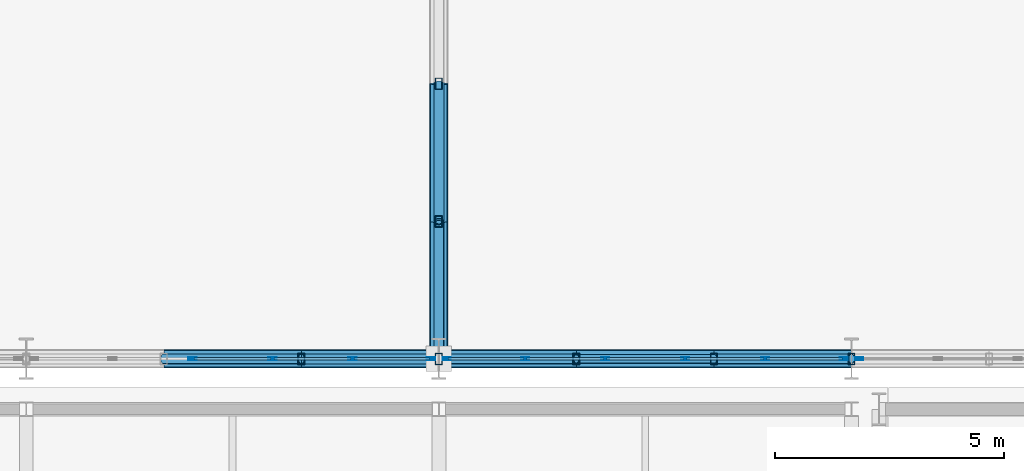
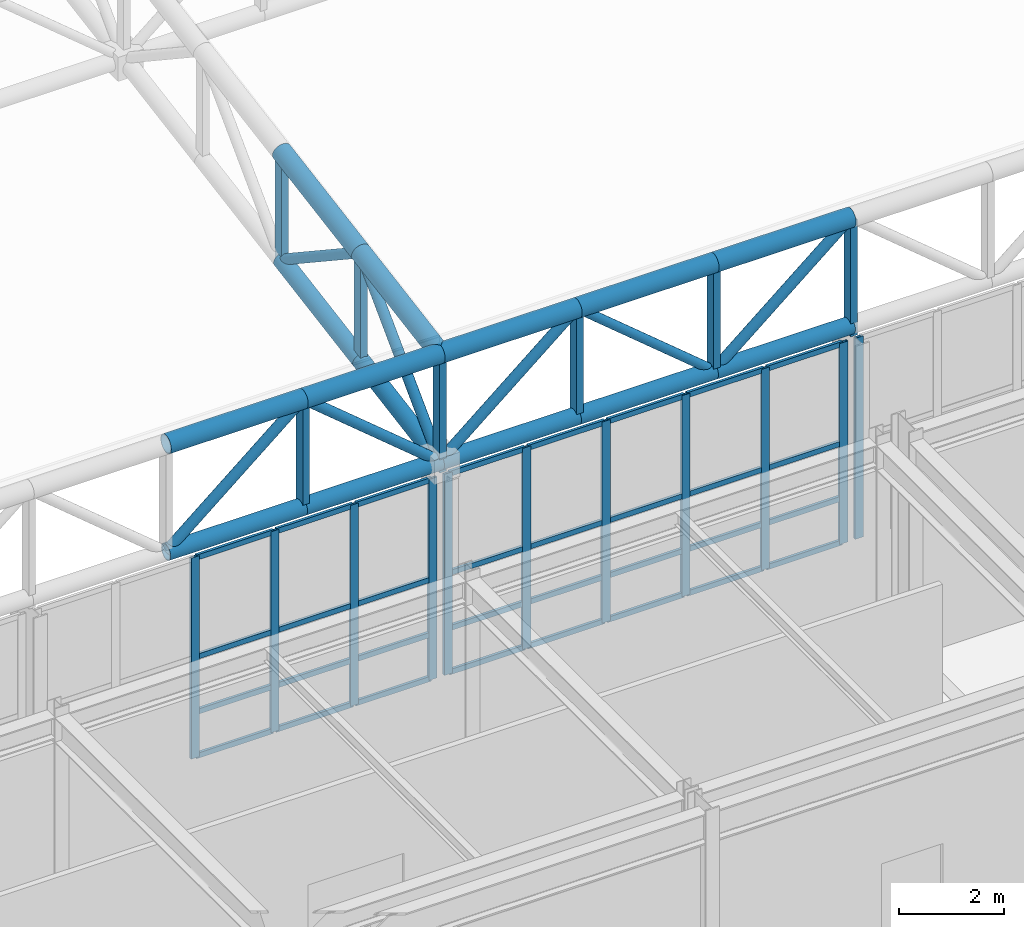
# One storey, part 45 of 239: 71 members, 3 elements without a shape of their own.
"""IFC4 building model written with IfcOpenShell, lengths in metres."""

import ifcopenshell
import ifcopenshell.guid

model = None  # the IFC model being written
_history = None  # IfcOwnerHistory: only IFC2X3 demands one
_inside = {}  # id of a spatial element -> (the spatial element, [elements in it])
_under = {}  # id of a project, library or spatial element -> (it, [spatial elements below it])
_declared = {}  # id of a project -> (the project, [libraries it declares])
_typed = {}  # id of a type object -> (the type object, [elements of that type])
_made_of = {}  # id of a material, layer set ... -> (it, [elements and type objects made of it])


def new_model(schema):
    """Start an empty IFC model of exactly this schema.

    Asked for "IFC4X3", IfcOpenShell would pick the latest addendum, in which some entities
    have other attributes; the version numbers below select the first issue.
    IFC2X3 requires an IfcOwnerHistory on every rooted entity: one is made here for all.
    """
    global model, _history
    if schema == "IFC4X3":
        model = ifcopenshell.file(schema_version=(4, 3, 0, 0))
    else:
        model = ifcopenshell.file(schema=schema)
    _inside.clear()
    _under.clear()
    _declared.clear()
    _typed.clear()
    _made_of.clear()
    _history = None
    if model.schema == "IFC2X3":
        org = make("IfcOrganization", Name="unknown")
        user = make(
            "IfcPersonAndOrganization",
            ThePerson=make("IfcPerson", FamilyName="unknown"),
            TheOrganization=org,
        )
        app = make(
            "IfcApplication",
            ApplicationDeveloper=org,
            Version="unknown",
            ApplicationFullName="unknown",
            ApplicationIdentifier="unknown",
        )
        _history = make(
            "IfcOwnerHistory",
            OwningUser=user,
            OwningApplication=app,
            ChangeAction="ADDED",
            CreationDate=0,
        )
    return model


def make(cls, **values):
    """One entity of the class cls with the attributes given. An attribute that is None is left unset."""
    return model.create_entity(
        cls, **{name: value for name, value in values.items() if value is not None}
    )


def rooted(cls, **values):
    """An entity with a GlobalId (a new one), such as an element, a storey or a relation."""
    return make(cls, GlobalId=ifcopenshell.guid.new(), OwnerHistory=_history, **values)


def si_unit(unit_type, name, prefix=None):
    """IfcSIUnit, for example si_unit("LENGTHUNIT", "METRE", prefix="MILLI")."""
    return make("IfcSIUnit", UnitType=unit_type, Prefix=prefix, Name=name)


def assignment(units):
    """IfcUnitAssignment: the units of a project."""
    return None if units is None else make("IfcUnitAssignment", Units=units)


def point(xyz):
    """IfcCartesianPoint."""
    return None if xyz is None else make("IfcCartesianPoint", Coordinates=xyz)


def direction(xyz):
    """IfcDirection."""
    return None if xyz is None else make("IfcDirection", DirectionRatios=xyz)


def frame(location, z_axis=None, x_axis=None):
    """IfcAxis2Placement3D, a coordinate frame: its origin and axes. An axis left out is left unset."""
    return make(
        "IfcAxis2Placement3D",
        Location=point(location),
        Axis=direction(z_axis),
        RefDirection=direction(x_axis),
    )


def frame_2d(location, x_axis=None):
    """IfcAxis2Placement2D, a coordinate frame in the plane: its origin and x axis."""
    return make(
        "IfcAxis2Placement2D", Location=point(location), RefDirection=direction(x_axis)
    )


def origin():
    """The frame at (0, 0, 0) with its axes left unset."""
    return frame((0.0, 0.0, 0.0))


def origin_2d():
    """The frame at (0, 0) in the plane with its x axis left unset."""
    return frame_2d((0.0, 0.0))


def place(relative_to, where):
    """IfcLocalPlacement: puts the frame where relative to a parent placement (None: the world)."""
    return make(
        "IfcLocalPlacement", PlacementRelTo=relative_to, RelativePlacement=where
    )


def context(
    kind, dimensions, precision=None, world=None, true_north=None, identifier=None
):
    """IfcGeometricRepresentationContext, for example the 3D "Model" context."""
    return make(
        "IfcGeometricRepresentationContext",
        ContextIdentifier=identifier,
        ContextType=kind,
        CoordinateSpaceDimension=dimensions,
        Precision=precision,
        WorldCoordinateSystem=world,
        TrueNorth=true_north,
    )


def subcontext(parent, identifier, kind, view, scale=None):
    """IfcGeometricRepresentationSubContext, for example "Body" below "Model"."""
    return make(
        "IfcGeometricRepresentationSubContext",
        ContextIdentifier=identifier,
        ContextType=kind,
        ParentContext=parent,
        TargetScale=scale,
        TargetView=view,
    )


def project(units=None, contexts=None):
    """IfcProject with its units and contexts."""
    return rooted(
        "IfcProject",
        Name="project",
        RepresentationContexts=contexts,
        UnitsInContext=assignment(units),
    )


def spatial(cls, under=None, at=None, **own):
    """A site, building, storey or space (cls), placed at a placement, below another one or the project."""
    s = rooted(cls, ObjectPlacement=at, **own)
    if under is not None:
        _under.setdefault(under.id(), (under, []))[1].append(s)
    return s


def profile(cls, at=None, kind="AREA", **sizes):
    """A parametric profile (cls). Its sizes go by their IFC names, for example OverallWidth=200.0."""
    return make(cls, ProfileType=kind, Position=at, **sizes)


def hollow_rectangle(**sizes):
    """IfcRectangleHollowProfileDef."""
    return profile("IfcRectangleHollowProfileDef", **sizes)


def hollow_circle(**sizes):
    """IfcCircleHollowProfileDef."""
    return profile("IfcCircleHollowProfileDef", **sizes)


def extrude(swept, where, along, depth):
    """IfcExtrudedAreaSolid: the profile swept, set in the frame where, extruded along a direction by depth."""
    return make(
        "IfcExtrudedAreaSolid",
        SweptArea=swept,
        Position=where,
        ExtrudedDirection=direction(along),
        Depth=depth,
    )


def shape(context_of_items, identifier, shape_type, items):
    """IfcShapeRepresentation: the items that make up one representation, for example the "Body"."""
    return make(
        "IfcShapeRepresentation",
        ContextOfItems=context_of_items,
        RepresentationIdentifier=identifier,
        RepresentationType=shape_type,
        Items=items,
    )


def material(Name=None, Category=None):
    """IfcMaterial."""
    return make("IfcMaterial", Name=Name, Category=Category)


def material_profile(
    of_material, cross_section, Name=None, Category=None, Priority=None
):
    """IfcMaterialProfile: a cross section and its material."""
    return make(
        "IfcMaterialProfile",
        Name=Name,
        Material=of_material,
        Profile=cross_section,
        Priority=Priority,
        Category=Category,
    )


def profile_set(profiles, Name=None, composite=None):
    """IfcMaterialProfileSet."""
    return make(
        "IfcMaterialProfileSet",
        Name=Name,
        MaterialProfiles=profiles,
        CompositeProfile=composite,
    )


def made_of(thing, what):
    """Note that an element or type object is made of a material, layer set ...; save() writes the relation."""
    if what is not None:
        _made_of.setdefault(what.id(), (what, []))[1].append(thing)
    return thing


def type_object(cls, material=None, **own):
    """A type object (cls), such as IfcWallType, which elements share."""
    return made_of(rooted(cls, **own), material)


def element(
    cls,
    number,
    at=None,
    inside=None,
    cuts=None,
    type_object=None,
    material=None,
    context=None,
    identifier="Body",
    shape_type=None,
    held_by="IfcProductDefinitionShape",
    body=None,
    shapes=None,
    **own,
):
    """One element of the class cls, such as IfcWall. Its Tag is "e" and its number.

    at: its placement. inside: the storey or other place that contains it. cuts: it is an
    opening in that element (IfcRelVoidsElement). A single representation is given by context,
    identifier, shape_type and body (its items); several are given by shapes. held_by: the class
    of the entity that holds the representations. save() writes the other relations.
    """
    e = rooted(cls, Tag="e%d" % number, ObjectPlacement=at, **own)
    if body is not None:
        shapes = [shape(context, identifier, shape_type, body)]
    if shapes is not None:
        e.Representation = make(held_by, Representations=shapes)
    if inside is not None:
        _inside.setdefault(inside.id(), (inside, []))[1].append(e)
    if cuts is not None:
        rooted(
            "IfcRelVoidsElement", RelatingBuildingElement=cuts, RelatedOpeningElement=e
        )
    if type_object is not None:
        _typed.setdefault(type_object.id(), (type_object, []))[1].append(e)
    return made_of(e, material)


def aggregate(whole, parts):
    """IfcRelAggregates: a whole, such as a stair, and the parts it consists of."""
    return rooted("IfcRelAggregates", RelatingObject=whole, RelatedObjects=parts)


def save(model, path):
    """Write the relations noted so far, then the file.

    IfcRelAggregates (storeys below a building ...), IfcRelContainedInSpatialStructure (elements
    in a storey), IfcRelDefinesByType, IfcRelAssociatesMaterial and IfcRelDeclares: one each for
    every whole, place, type object, material and project.
    """
    for whole, parts in _under.values():
        aggregate(whole, parts)
    for where, things in _inside.values():
        rooted(
            "IfcRelContainedInSpatialStructure",
            RelatedElements=things,
            RelatingStructure=where,
        )
    for kind, things in _typed.values():
        rooted("IfcRelDefinesByType", RelatedObjects=things, RelatingType=kind)
    for what, things in _made_of.values():
        rooted("IfcRelAssociatesMaterial", RelatedObjects=things, RelatingMaterial=what)
    for by, libraries in _declared.values():
        rooted("IfcRelDeclares", RelatingContext=by, RelatedDefinitions=libraries)
    model.write(path)


model = new_model("IFC4")

# Units and contexts
model_context = context("Model", 3, precision=1e-05, world=origin(), true_north=direction((0.0, 1.0)))
body_context = subcontext(model_context, "Body", "Model", "MODEL_VIEW")
ifc_project = project(units=[si_unit("LENGTHUNIT", "METRE"), si_unit("AREAUNIT", "SQUARE_METRE"), si_unit("VOLUMEUNIT", "CUBIC_METRE"), si_unit("PLANEANGLEUNIT", "RADIAN"), si_unit("MASSUNIT", "GRAM", prefix="KILO")], contexts=[model_context])

# Site, building, storey
site_placement = place(None, origin())
site = spatial("IfcSite", under=ifc_project, at=site_placement, CompositionType="ELEMENT")
building_placement = place(site_placement, origin())
building = spatial("IfcBuilding", under=site, at=building_placement, Name="Kaldris Quays Convention Centre", CompositionType="ELEMENT")
storey_placement = place(building_placement, frame((0.0, 0.0, 11.39990234375)))
storey = spatial("IfcBuildingStorey", under=building, at=storey_placement, Name="L02", CompositionType="ELEMENT", Elevation=11.39990234375)

# Curtain wall, members
ifc_material_1 = material(Name="Anodized aluminium AW-6060 and triple glazing", Category="aluminium")
curtain_wall_type = type_object("IfcCurtainWallType", Name="UNITISED CURTAIN WALL CW03", PredefinedType="NOTDEFINED", material=ifc_material_1)
curtain_wall_1_placement = place(storey_placement, origin())
curtain_wall_1 = element("IfcCurtainWall", 1, at=curtain_wall_1_placement, inside=storey, type_object=curtain_wall_type, Name="L02 Unitised Curtain Wall CW03 237", PredefinedType="NOTDEFINED")
ifc_material_2 = material(Name="Anodized aluminium AW-6060", Category="aluminium")
ifc_material_profile_1 = material_profile(ifc_material_2, hollow_rectangle(XDim=0.06005859375, YDim=0.179931640625, WallThickness=0.0048828125, at=origin_2d()), Name="RHS 180x60x5")
ifc_profile_set_1 = profile_set([ifc_material_profile_1], Name="Anodized aluminium AW-6060")
member_type_1 = type_object("IfcMemberType", Name="CURTAIN MULLION CWM2", PredefinedType="MULLION", material=ifc_profile_set_1)
member_1_placement = place(storey_placement, frame((68.6279296875, 56.0, 2.195068359375), z_axis=(0.0, 0.0, 1.0), x_axis=(0.0, 1.0, 0.0)))
member_1 = element("IfcMember", 2, at=member_1_placement, type_object=member_type_1, Name="CW03 mullion 3", PredefinedType="MULLION", context=body_context, shape_type="SweptSolid", body=[
    extrude(hollow_rectangle(XDim=0.06005859375, YDim=0.179931640625, WallThickness=0.0048828125, at=origin_2d()), origin(), (0.0, 0.0, 1.0), 4.655029296875),
])
member_2_placement = place(storey_placement, frame((70.3720703125, 56.0, 2.195068359375), z_axis=(0.0, 0.0, 1.0), x_axis=(0.0, 1.0, 0.0)))
member_2 = element("IfcMember", 3, at=member_2_placement, type_object=member_type_1, Name="CW03 mullion 4", PredefinedType="MULLION", context=body_context, shape_type="SweptSolid", body=[
    extrude(hollow_rectangle(XDim=0.06005859375, YDim=0.179931640625, WallThickness=0.0048828125, at=origin_2d()), origin(), (0.0, 0.0, 1.0), 4.655029296875),
])
member_3_placement = place(storey_placement, frame((72.115966796875, 56.0, 2.195068359375), z_axis=(0.0, 0.0, 1.0), x_axis=(0.0, 1.0, 0.0)))
member_3 = element("IfcMember", 4, at=member_3_placement, type_object=member_type_1, Name="CW03 mullion 5", PredefinedType="MULLION", context=body_context, shape_type="SweptSolid", body=[
    extrude(hollow_rectangle(XDim=0.06005859375, YDim=0.179931640625, WallThickness=0.0048828125, at=origin_2d()), origin(), (0.0, 0.0, 1.0), 4.655029296875),
])
member_4_placement = place(storey_placement, frame((73.830078125, 56.0, 2.195068359375), z_axis=(0.0, 0.0, 1.0), x_axis=(0.0, 1.0, 0.0)))
member_4 = element("IfcMember", 5, at=member_4_placement, type_object=member_type_1, Name="CW03 mullion 6", PredefinedType="MULLION", context=body_context, shape_type="SweptSolid", body=[
    extrude(hollow_rectangle(XDim=0.06005859375, YDim=0.179931640625, WallThickness=0.0048828125, at=origin_2d()), origin(), (0.0, 0.0, 1.0), 4.655029296875),
])

curtain_wall_2_placement = place(storey_placement, origin())
curtain_wall_2 = element("IfcCurtainWall", 6, at=curtain_wall_2_placement, inside=storey, type_object=curtain_wall_type, Name="L02 Unitised Curtain Wall CW03 239", PredefinedType="NOTDEFINED")
member_5_placement = place(storey_placement, frame((74.169921875, 56.0, 2.195068359375), z_axis=(0.0, 0.0, 1.0), x_axis=(0.0, 1.0, 0.0)))
member_5 = element("IfcMember", 7, at=member_5_placement, type_object=member_type_1, Name="CW03 mullion 1", PredefinedType="MULLION", context=body_context, shape_type="SweptSolid", body=[
    extrude(hollow_rectangle(XDim=0.06005859375, YDim=0.179931640625, WallThickness=0.0048828125, at=origin_2d()), origin(), (0.0, 0.0, 1.0), 4.655029296875),
])
member_6_placement = place(storey_placement, frame((75.884033203125, 56.0, 2.195068359375), z_axis=(0.0, 0.0, 1.0), x_axis=(0.0, 1.0, 0.0)))
member_6 = element("IfcMember", 8, at=member_6_placement, type_object=member_type_1, Name="CW03 mullion 2", PredefinedType="MULLION", context=body_context, shape_type="SweptSolid", body=[
    extrude(hollow_rectangle(XDim=0.06005859375, YDim=0.179931640625, WallThickness=0.0048828125, at=origin_2d()), origin(), (0.0, 0.0, 1.0), 4.655029296875),
])
member_7_placement = place(storey_placement, frame((77.6279296875, 56.0, 2.195068359375), z_axis=(0.0, 0.0, 1.0), x_axis=(0.0, 1.0, 0.0)))
member_7 = element("IfcMember", 9, at=member_7_placement, type_object=member_type_1, Name="CW03 mullion 3", PredefinedType="MULLION", context=body_context, shape_type="SweptSolid", body=[
    extrude(hollow_rectangle(XDim=0.06005859375, YDim=0.179931640625, WallThickness=0.0048828125, at=origin_2d()), origin(), (0.0, 0.0, 1.0), 4.655029296875),
])
member_8_placement = place(storey_placement, frame((79.3720703125, 56.0, 2.195068359375), z_axis=(0.0, 0.0, 1.0), x_axis=(0.0, 1.0, 0.0)))
member_8 = element("IfcMember", 10, at=member_8_placement, type_object=member_type_1, Name="CW03 mullion 4", PredefinedType="MULLION", context=body_context, shape_type="SweptSolid", body=[
    extrude(hollow_rectangle(XDim=0.06005859375, YDim=0.179931640625, WallThickness=0.0048828125, at=origin_2d()), origin(), (0.0, 0.0, 1.0), 4.655029296875),
])
member_9_placement = place(storey_placement, frame((81.115966796875, 56.0, 2.195068359375), z_axis=(0.0, 0.0, 1.0), x_axis=(0.0, 1.0, 0.0)))
member_9 = element("IfcMember", 11, at=member_9_placement, type_object=member_type_1, Name="CW03 mullion 5", PredefinedType="MULLION", context=body_context, shape_type="SweptSolid", body=[
    extrude(hollow_rectangle(XDim=0.06005859375, YDim=0.179931640625, WallThickness=0.0048828125, at=origin_2d()), origin(), (0.0, 0.0, 1.0), 4.655029296875),
])
member_10_placement = place(storey_placement, frame((82.830078125, 56.0, 2.195068359375), z_axis=(0.0, 0.0, 1.0), x_axis=(0.0, 1.0, 0.0)))
member_10 = element("IfcMember", 12, at=member_10_placement, type_object=member_type_1, Name="CW03 mullion 6", PredefinedType="MULLION", context=body_context, shape_type="SweptSolid", body=[
    extrude(hollow_rectangle(XDim=0.06005859375, YDim=0.179931640625, WallThickness=0.0048828125, at=origin_2d()), origin(), (0.0, 0.0, 1.0), 4.655029296875),
])

# Curtain wall, member
curtain_wall_3_placement = place(storey_placement, origin())
curtain_wall_3 = element("IfcCurtainWall", 13, at=curtain_wall_3_placement, inside=storey, type_object=curtain_wall_type, Name="L02 Unitised Curtain Wall CW03 241", PredefinedType="NOTDEFINED")
member_11_placement = place(storey_placement, frame((83.169921875, 56.0, 2.195068359375), z_axis=(0.0, 0.0, 1.0), x_axis=(0.0, 1.0, 0.0)))
member_11 = element("IfcMember", 14, at=member_11_placement, type_object=member_type_1, Name="CW03 mullion 1", PredefinedType="MULLION", context=body_context, shape_type="SweptSolid", body=[
    extrude(hollow_rectangle(XDim=0.06005859375, YDim=0.179931640625, WallThickness=0.0048828125, at=origin_2d()), origin(), (0.0, 0.0, 1.0), 4.655029296875),
])
aggregate(curtain_wall_3, [member_11])

# Member
ifc_material_profile_2 = material_profile(ifc_material_2, hollow_rectangle(XDim=0.06005859375, YDim=0.1201171875, WallThickness=0.00390625, at=origin_2d()), Name="RHS 120x60x4")
ifc_profile_set_2 = profile_set([ifc_material_profile_2], Name="Anodized aluminium AW-6060")
member_type_2 = type_object("IfcMemberType", Name="CURTAIN TRANSOM CWT1", PredefinedType="USERDEFINED", material=ifc_profile_set_2)
member_12_placement = place(storey_placement, frame((68.657958984375, 56.0, 2.22509765625), z_axis=(1.0, 0.0, 0.0), x_axis=(0.0, 1.0, 0.0)))
member_12 = element("IfcMember", 15, at=member_12_placement, type_object=member_type_2, Name="CW03 transom 3.1", ObjectType="TRANSOM", PredefinedType="USERDEFINED", context=body_context, shape_type="SweptSolid", body=[
    extrude(hollow_rectangle(XDim=0.06005859375, YDim=0.1201171875, WallThickness=0.00390625, at=origin_2d()), origin(), (0.0, 0.0, 1.0), 1.68408203125),
])

member_13_placement = place(storey_placement, frame((68.657958984375, 56.0, 3.2451171875), z_axis=(1.0, 0.0, 0.0), x_axis=(0.0, 1.0, 0.0)))
member_13 = element("IfcMember", 16, at=member_13_placement, type_object=member_type_2, Name="CW03 transom 3.2", ObjectType="TRANSOM", PredefinedType="USERDEFINED", context=body_context, shape_type="SweptSolid", body=[
    extrude(hollow_rectangle(XDim=0.06005859375, YDim=0.1201171875, WallThickness=0.00390625, at=origin_2d()), origin(), (0.0, 0.0, 1.0), 1.68408203125),
])

member_14_placement = place(storey_placement, frame((68.657958984375, 56.0, 4.522216796875), z_axis=(1.0, 0.0, 0.0), x_axis=(0.0, 1.0, 0.0)))
member_14 = element("IfcMember", 17, at=member_14_placement, type_object=member_type_2, Name="CW03 transom 3.3", ObjectType="TRANSOM", PredefinedType="USERDEFINED", context=body_context, shape_type="SweptSolid", body=[
    extrude(hollow_rectangle(XDim=0.06005859375, YDim=0.1201171875, WallThickness=0.00390625, at=origin_2d()), origin(), (0.0, 0.0, 1.0), 1.68408203125),
])

member_15_placement = place(storey_placement, frame((68.657958984375, 56.0, 6.820068359375), z_axis=(1.0, 0.0, 0.0), x_axis=(0.0, 1.0, 0.0)))
member_15 = element("IfcMember", 18, at=member_15_placement, type_object=member_type_2, Name="CW03 transom 3.4", ObjectType="TRANSOM", PredefinedType="USERDEFINED", context=body_context, shape_type="SweptSolid", body=[
    extrude(hollow_rectangle(XDim=0.06005859375, YDim=0.1201171875, WallThickness=0.00390625, at=origin_2d()), origin(), (0.0, 0.0, 1.0), 1.68408203125),
])

member_16_placement = place(storey_placement, frame((70.402099609375, 56.0, 2.22509765625), z_axis=(1.0, 0.0, 0.0), x_axis=(0.0, 1.0, 0.0)))
member_16 = element("IfcMember", 19, at=member_16_placement, type_object=member_type_2, Name="CW03 transom 4.1", ObjectType="TRANSOM", PredefinedType="USERDEFINED", context=body_context, shape_type="SweptSolid", body=[
    extrude(hollow_rectangle(XDim=0.06005859375, YDim=0.1201171875, WallThickness=0.00390625, at=origin_2d()), origin(), (0.0, 0.0, 1.0), 1.683837890625),
])

member_17_placement = place(storey_placement, frame((70.402099609375, 56.0, 3.2451171875), z_axis=(1.0, 0.0, 0.0), x_axis=(0.0, 1.0, 0.0)))
member_17 = element("IfcMember", 20, at=member_17_placement, type_object=member_type_2, Name="CW03 transom 4.2", ObjectType="TRANSOM", PredefinedType="USERDEFINED", context=body_context, shape_type="SweptSolid", body=[
    extrude(hollow_rectangle(XDim=0.06005859375, YDim=0.1201171875, WallThickness=0.00390625, at=origin_2d()), origin(), (0.0, 0.0, 1.0), 1.683837890625),
])

member_18_placement = place(storey_placement, frame((70.402099609375, 56.0, 4.522216796875), z_axis=(1.0, 0.0, 0.0), x_axis=(0.0, 1.0, 0.0)))
member_18 = element("IfcMember", 21, at=member_18_placement, type_object=member_type_2, Name="CW03 transom 4.3", ObjectType="TRANSOM", PredefinedType="USERDEFINED", context=body_context, shape_type="SweptSolid", body=[
    extrude(hollow_rectangle(XDim=0.06005859375, YDim=0.1201171875, WallThickness=0.00390625, at=origin_2d()), origin(), (0.0, 0.0, 1.0), 1.683837890625),
])

member_19_placement = place(storey_placement, frame((70.402099609375, 56.0, 6.820068359375), z_axis=(1.0, 0.0, 0.0), x_axis=(0.0, 1.0, 0.0)))
member_19 = element("IfcMember", 22, at=member_19_placement, type_object=member_type_2, Name="CW03 transom 4.4", ObjectType="TRANSOM", PredefinedType="USERDEFINED", context=body_context, shape_type="SweptSolid", body=[
    extrude(hollow_rectangle(XDim=0.06005859375, YDim=0.1201171875, WallThickness=0.00390625, at=origin_2d()), origin(), (0.0, 0.0, 1.0), 1.683837890625),
])

member_20_placement = place(storey_placement, frame((72.14599609375, 56.0, 2.22509765625), z_axis=(1.0, 0.0, 0.0), x_axis=(0.0, 1.0, 0.0)))
member_20 = element("IfcMember", 23, at=member_20_placement, type_object=member_type_2, Name="CW03 transom 5.1", ObjectType="TRANSOM", PredefinedType="USERDEFINED", context=body_context, shape_type="SweptSolid", body=[
    extrude(hollow_rectangle(XDim=0.06005859375, YDim=0.1201171875, WallThickness=0.00390625, at=origin_2d()), origin(), (0.0, 0.0, 1.0), 1.654052734375),
])

member_21_placement = place(storey_placement, frame((72.14599609375, 56.0, 3.2451171875), z_axis=(1.0, 0.0, 0.0), x_axis=(0.0, 1.0, 0.0)))
member_21 = element("IfcMember", 24, at=member_21_placement, type_object=member_type_2, Name="CW03 transom 5.2", ObjectType="TRANSOM", PredefinedType="USERDEFINED", context=body_context, shape_type="SweptSolid", body=[
    extrude(hollow_rectangle(XDim=0.06005859375, YDim=0.1201171875, WallThickness=0.00390625, at=origin_2d()), origin(), (0.0, 0.0, 1.0), 1.654052734375),
])

member_22_placement = place(storey_placement, frame((72.14599609375, 56.0, 4.522216796875), z_axis=(1.0, 0.0, 0.0), x_axis=(0.0, 1.0, 0.0)))
member_22 = element("IfcMember", 25, at=member_22_placement, type_object=member_type_2, Name="CW03 transom 5.3", ObjectType="TRANSOM", PredefinedType="USERDEFINED", context=body_context, shape_type="SweptSolid", body=[
    extrude(hollow_rectangle(XDim=0.06005859375, YDim=0.1201171875, WallThickness=0.00390625, at=origin_2d()), origin(), (0.0, 0.0, 1.0), 1.654052734375),
])

member_23_placement = place(storey_placement, frame((72.14599609375, 56.0, 6.820068359375), z_axis=(1.0, 0.0, 0.0), x_axis=(0.0, 1.0, 0.0)))
member_23 = element("IfcMember", 26, at=member_23_placement, type_object=member_type_2, Name="CW03 transom 5.4", ObjectType="TRANSOM", PredefinedType="USERDEFINED", context=body_context, shape_type="SweptSolid", body=[
    extrude(hollow_rectangle(XDim=0.06005859375, YDim=0.1201171875, WallThickness=0.00390625, at=origin_2d()), origin(), (0.0, 0.0, 1.0), 1.654052734375),
])

aggregate(curtain_wall_1, [member_1, member_2, member_3, member_4, member_12, member_13, member_14, member_15, member_16, member_17, member_18, member_19, member_20, member_21, member_22, member_23])

member_24_placement = place(storey_placement, frame((74.199951171875, 56.0, 2.22509765625), z_axis=(1.0, 0.0, 0.0), x_axis=(0.0, 1.0, 0.0)))
member_24 = element("IfcMember", 27, at=member_24_placement, type_object=member_type_2, Name="CW03 transom 1.1", ObjectType="TRANSOM", PredefinedType="USERDEFINED", context=body_context, shape_type="SweptSolid", body=[
    extrude(hollow_rectangle(XDim=0.06005859375, YDim=0.1201171875, WallThickness=0.00390625, at=origin_2d()), origin(), (0.0, 0.0, 1.0), 1.654052734375),
])

member_25_placement = place(storey_placement, frame((74.199951171875, 56.0, 3.2451171875), z_axis=(1.0, 0.0, 0.0), x_axis=(0.0, 1.0, 0.0)))
member_25 = element("IfcMember", 28, at=member_25_placement, type_object=member_type_2, Name="CW03 transom 1.2", ObjectType="TRANSOM", PredefinedType="USERDEFINED", context=body_context, shape_type="SweptSolid", body=[
    extrude(hollow_rectangle(XDim=0.06005859375, YDim=0.1201171875, WallThickness=0.00390625, at=origin_2d()), origin(), (0.0, 0.0, 1.0), 1.654052734375),
])

member_26_placement = place(storey_placement, frame((74.199951171875, 56.0, 4.522216796875), z_axis=(1.0, 0.0, 0.0), x_axis=(0.0, 1.0, 0.0)))
member_26 = element("IfcMember", 29, at=member_26_placement, type_object=member_type_2, Name="CW03 transom 1.3", ObjectType="TRANSOM", PredefinedType="USERDEFINED", context=body_context, shape_type="SweptSolid", body=[
    extrude(hollow_rectangle(XDim=0.06005859375, YDim=0.1201171875, WallThickness=0.00390625, at=origin_2d()), origin(), (0.0, 0.0, 1.0), 1.654052734375),
])

member_27_placement = place(storey_placement, frame((74.199951171875, 56.0, 6.820068359375), z_axis=(1.0, 0.0, 0.0), x_axis=(0.0, 1.0, 0.0)))
member_27 = element("IfcMember", 30, at=member_27_placement, type_object=member_type_2, Name="CW03 transom 1.4", ObjectType="TRANSOM", PredefinedType="USERDEFINED", context=body_context, shape_type="SweptSolid", body=[
    extrude(hollow_rectangle(XDim=0.06005859375, YDim=0.1201171875, WallThickness=0.00390625, at=origin_2d()), origin(), (0.0, 0.0, 1.0), 1.654052734375),
])

member_28_placement = place(storey_placement, frame((75.9140625, 56.0, 2.22509765625), z_axis=(1.0, 0.0, 0.0), x_axis=(0.0, 1.0, 0.0)))
member_28 = element("IfcMember", 31, at=member_28_placement, type_object=member_type_2, Name="CW03 transom 2.1", ObjectType="TRANSOM", PredefinedType="USERDEFINED", context=body_context, shape_type="SweptSolid", body=[
    extrude(hollow_rectangle(XDim=0.06005859375, YDim=0.1201171875, WallThickness=0.00390625, at=origin_2d()), origin(), (0.0, 0.0, 1.0), 1.683837890625),
])

member_29_placement = place(storey_placement, frame((75.9140625, 56.0, 3.2451171875), z_axis=(1.0, 0.0, 0.0), x_axis=(0.0, 1.0, 0.0)))
member_29 = element("IfcMember", 32, at=member_29_placement, type_object=member_type_2, Name="CW03 transom 2.2", ObjectType="TRANSOM", PredefinedType="USERDEFINED", context=body_context, shape_type="SweptSolid", body=[
    extrude(hollow_rectangle(XDim=0.06005859375, YDim=0.1201171875, WallThickness=0.00390625, at=origin_2d()), origin(), (0.0, 0.0, 1.0), 1.683837890625),
])

member_30_placement = place(storey_placement, frame((75.9140625, 56.0, 4.522216796875), z_axis=(1.0, 0.0, 0.0), x_axis=(0.0, 1.0, 0.0)))
member_30 = element("IfcMember", 33, at=member_30_placement, type_object=member_type_2, Name="CW03 transom 2.3", ObjectType="TRANSOM", PredefinedType="USERDEFINED", context=body_context, shape_type="SweptSolid", body=[
    extrude(hollow_rectangle(XDim=0.06005859375, YDim=0.1201171875, WallThickness=0.00390625, at=origin_2d()), origin(), (0.0, 0.0, 1.0), 1.683837890625),
])

member_31_placement = place(storey_placement, frame((75.9140625, 56.0, 6.820068359375), z_axis=(1.0, 0.0, 0.0), x_axis=(0.0, 1.0, 0.0)))
member_31 = element("IfcMember", 34, at=member_31_placement, type_object=member_type_2, Name="CW03 transom 2.4", ObjectType="TRANSOM", PredefinedType="USERDEFINED", context=body_context, shape_type="SweptSolid", body=[
    extrude(hollow_rectangle(XDim=0.06005859375, YDim=0.1201171875, WallThickness=0.00390625, at=origin_2d()), origin(), (0.0, 0.0, 1.0), 1.683837890625),
])

member_32_placement = place(storey_placement, frame((77.657958984375, 56.0, 2.22509765625), z_axis=(1.0, 0.0, 0.0), x_axis=(0.0, 1.0, 0.0)))
member_32 = element("IfcMember", 35, at=member_32_placement, type_object=member_type_2, Name="CW03 transom 3.1", ObjectType="TRANSOM", PredefinedType="USERDEFINED", context=body_context, shape_type="SweptSolid", body=[
    extrude(hollow_rectangle(XDim=0.06005859375, YDim=0.1201171875, WallThickness=0.00390625, at=origin_2d()), origin(), (0.0, 0.0, 1.0), 1.68408203125),
])

member_33_placement = place(storey_placement, frame((77.657958984375, 56.0, 3.2451171875), z_axis=(1.0, 0.0, 0.0), x_axis=(0.0, 1.0, 0.0)))
member_33 = element("IfcMember", 36, at=member_33_placement, type_object=member_type_2, Name="CW03 transom 3.2", ObjectType="TRANSOM", PredefinedType="USERDEFINED", context=body_context, shape_type="SweptSolid", body=[
    extrude(hollow_rectangle(XDim=0.06005859375, YDim=0.1201171875, WallThickness=0.00390625, at=origin_2d()), origin(), (0.0, 0.0, 1.0), 1.68408203125),
])

member_34_placement = place(storey_placement, frame((77.657958984375, 56.0, 4.522216796875), z_axis=(1.0, 0.0, 0.0), x_axis=(0.0, 1.0, 0.0)))
member_34 = element("IfcMember", 37, at=member_34_placement, type_object=member_type_2, Name="CW03 transom 3.3", ObjectType="TRANSOM", PredefinedType="USERDEFINED", context=body_context, shape_type="SweptSolid", body=[
    extrude(hollow_rectangle(XDim=0.06005859375, YDim=0.1201171875, WallThickness=0.00390625, at=origin_2d()), origin(), (0.0, 0.0, 1.0), 1.68408203125),
])

member_35_placement = place(storey_placement, frame((77.657958984375, 56.0, 6.820068359375), z_axis=(1.0, 0.0, 0.0), x_axis=(0.0, 1.0, 0.0)))
member_35 = element("IfcMember", 38, at=member_35_placement, type_object=member_type_2, Name="CW03 transom 3.4", ObjectType="TRANSOM", PredefinedType="USERDEFINED", context=body_context, shape_type="SweptSolid", body=[
    extrude(hollow_rectangle(XDim=0.06005859375, YDim=0.1201171875, WallThickness=0.00390625, at=origin_2d()), origin(), (0.0, 0.0, 1.0), 1.68408203125),
])

member_36_placement = place(storey_placement, frame((79.402099609375, 56.0, 2.22509765625), z_axis=(1.0, 0.0, 0.0), x_axis=(0.0, 1.0, 0.0)))
member_36 = element("IfcMember", 39, at=member_36_placement, type_object=member_type_2, Name="CW03 transom 4.1", ObjectType="TRANSOM", PredefinedType="USERDEFINED", context=body_context, shape_type="SweptSolid", body=[
    extrude(hollow_rectangle(XDim=0.06005859375, YDim=0.1201171875, WallThickness=0.00390625, at=origin_2d()), origin(), (0.0, 0.0, 1.0), 1.683837890625),
])

member_37_placement = place(storey_placement, frame((79.402099609375, 56.0, 3.2451171875), z_axis=(1.0, 0.0, 0.0), x_axis=(0.0, 1.0, 0.0)))
member_37 = element("IfcMember", 40, at=member_37_placement, type_object=member_type_2, Name="CW03 transom 4.2", ObjectType="TRANSOM", PredefinedType="USERDEFINED", context=body_context, shape_type="SweptSolid", body=[
    extrude(hollow_rectangle(XDim=0.06005859375, YDim=0.1201171875, WallThickness=0.00390625, at=origin_2d()), origin(), (0.0, 0.0, 1.0), 1.683837890625),
])

member_38_placement = place(storey_placement, frame((79.402099609375, 56.0, 4.522216796875), z_axis=(1.0, 0.0, 0.0), x_axis=(0.0, 1.0, 0.0)))
member_38 = element("IfcMember", 41, at=member_38_placement, type_object=member_type_2, Name="CW03 transom 4.3", ObjectType="TRANSOM", PredefinedType="USERDEFINED", context=body_context, shape_type="SweptSolid", body=[
    extrude(hollow_rectangle(XDim=0.06005859375, YDim=0.1201171875, WallThickness=0.00390625, at=origin_2d()), origin(), (0.0, 0.0, 1.0), 1.683837890625),
])

member_39_placement = place(storey_placement, frame((79.402099609375, 56.0, 6.820068359375), z_axis=(1.0, 0.0, 0.0), x_axis=(0.0, 1.0, 0.0)))
member_39 = element("IfcMember", 42, at=member_39_placement, type_object=member_type_2, Name="CW03 transom 4.4", ObjectType="TRANSOM", PredefinedType="USERDEFINED", context=body_context, shape_type="SweptSolid", body=[
    extrude(hollow_rectangle(XDim=0.06005859375, YDim=0.1201171875, WallThickness=0.00390625, at=origin_2d()), origin(), (0.0, 0.0, 1.0), 1.683837890625),
])

member_40_placement = place(storey_placement, frame((81.14599609375, 56.0, 2.22509765625), z_axis=(1.0, 0.0, 0.0), x_axis=(0.0, 1.0, 0.0)))
member_40 = element("IfcMember", 43, at=member_40_placement, type_object=member_type_2, Name="CW03 transom 5.1", ObjectType="TRANSOM", PredefinedType="USERDEFINED", context=body_context, shape_type="SweptSolid", body=[
    extrude(hollow_rectangle(XDim=0.06005859375, YDim=0.1201171875, WallThickness=0.00390625, at=origin_2d()), origin(), (0.0, 0.0, 1.0), 1.654052734375),
])

member_41_placement = place(storey_placement, frame((81.14599609375, 56.0, 3.2451171875), z_axis=(1.0, 0.0, 0.0), x_axis=(0.0, 1.0, 0.0)))
member_41 = element("IfcMember", 44, at=member_41_placement, type_object=member_type_2, Name="CW03 transom 5.2", ObjectType="TRANSOM", PredefinedType="USERDEFINED", context=body_context, shape_type="SweptSolid", body=[
    extrude(hollow_rectangle(XDim=0.06005859375, YDim=0.1201171875, WallThickness=0.00390625, at=origin_2d()), origin(), (0.0, 0.0, 1.0), 1.654052734375),
])

member_42_placement = place(storey_placement, frame((81.14599609375, 56.0, 4.522216796875), z_axis=(1.0, 0.0, 0.0), x_axis=(0.0, 1.0, 0.0)))
member_42 = element("IfcMember", 45, at=member_42_placement, type_object=member_type_2, Name="CW03 transom 5.3", ObjectType="TRANSOM", PredefinedType="USERDEFINED", context=body_context, shape_type="SweptSolid", body=[
    extrude(hollow_rectangle(XDim=0.06005859375, YDim=0.1201171875, WallThickness=0.00390625, at=origin_2d()), origin(), (0.0, 0.0, 1.0), 1.654052734375),
])

member_43_placement = place(storey_placement, frame((81.14599609375, 56.0, 6.820068359375), z_axis=(1.0, 0.0, 0.0), x_axis=(0.0, 1.0, 0.0)))
member_43 = element("IfcMember", 46, at=member_43_placement, type_object=member_type_2, Name="CW03 transom 5.4", ObjectType="TRANSOM", PredefinedType="USERDEFINED", context=body_context, shape_type="SweptSolid", body=[
    extrude(hollow_rectangle(XDim=0.06005859375, YDim=0.1201171875, WallThickness=0.00390625, at=origin_2d()), origin(), (0.0, 0.0, 1.0), 1.654052734375),
])

aggregate(curtain_wall_2, [member_5, member_6, member_7, member_8, member_9, member_10, member_24, member_25, member_26, member_27, member_28, member_29, member_30, member_31, member_32, member_33, member_34, member_35, member_36, member_37, member_38, member_39, member_40, member_41, member_42, member_43])

# Members
ifc_material_3 = material(Name="Steel S355J2H", Category="steel")
ifc_material_profile_3 = material_profile(ifc_material_3, hollow_circle(Radius=0.203125, WallThickness=0.01611328125, at=origin_2d()), Name="CHS 406.4x16")
ifc_profile_set_3 = profile_set([ifc_material_profile_3], Name="Steel S355J2H")
member_type_3 = type_object("IfcMemberType", Name="STRUCTURAL MEMBER SC01", PredefinedType="CHORD", material=ifc_profile_set_3)
for number, where, z_axis, x_axis, name in (
    (47, (68.0, 56.0, 9.671875), (1.0, 0.0, 0.0), (0.0, 1.0, 0.0), "SF-V1 Top Chord X 17"),
    (48, (71.0, 56.0, 9.671875), (1.0, 0.0, 0.0), (0.0, 1.0, 0.0), "SF-V1 Top Chord X 18"),
    (49, (74.0, 56.0, 9.671875), (1.0, 0.0, 0.0), (0.0, 1.0, 0.0), "SF-V1 Top Chord X 19"),
    (50, (77.0, 56.0, 9.671875), (1.0, 0.0, 0.0), (0.0, 1.0, 0.0), "SF-V1 Top Chord X 20"),
    (51, (80.0, 56.0, 9.671875), (1.0, 0.0, 0.0), (0.0, 1.0, 0.0), "SF-V1 Top Chord X 21"),
):
    element("IfcMember", number, at=place(storey_placement, frame(where, z_axis=z_axis, x_axis=x_axis)), inside=storey, type_object=member_type_3, Name=name, PredefinedType="CHORD", context=body_context, shape_type="SweptSolid", body=[
        extrude(hollow_circle(Radius=0.203125, WallThickness=0.01611328125, at=origin_2d()), origin(), (0.0, 0.0, 1.0), 3.0),
    ])
for number, where, z_axis, x_axis, name in (
    (52, (74.0, 56.0, 9.671875), (0.0, 0.985615766076, 0.169001661712), (-1.0, 0.0, 0.0), "SF-V1 Top Chord Y 421"),
    (53, (74.0, 59.0, 10.186279296875), (0.0, 0.98562912375, 0.168923741424), (-1.0, 0.0, 0.0), "SF-V1 Top Chord Y 422"),
):
    element("IfcMember", number, at=place(storey_placement, frame(where, z_axis=z_axis, x_axis=x_axis)), inside=storey, type_object=member_type_3, Name=name, PredefinedType="CHORD", context=body_context, shape_type="SweptSolid", body=[
        extrude(hollow_circle(Radius=0.203125, WallThickness=0.01611328125, at=origin_2d()), origin(), (0.0, 0.0, 1.0), 3.043701171875),
    ])
ifc_material_profile_4 = material_profile(ifc_material_3, hollow_circle(Radius=0.177734375, WallThickness=0.01611328125, at=origin_2d()), Name="CHS 355.6x16")
ifc_profile_set_4 = profile_set([ifc_material_profile_4], Name="Steel S355J2H")
member_type_4 = type_object("IfcMemberType", Name="STRUCTURAL MEMBER SC02", PredefinedType="CHORD", material=ifc_profile_set_4)
for number, where, z_axis, x_axis, name in (
    (54, (68.0, 56.0, 7.171875), (1.0, 0.0, 0.0), (0.0, 1.0, 0.0), "SF-V1 Bottom Chord X 17"),
    (55, (71.0, 56.0, 7.171875), (1.0, 0.0, 0.0), (0.0, 1.0, 0.0), "SF-V1 Bottom Chord X 18"),
    (56, (74.0, 56.0, 7.171875), (1.0, 0.0, 0.0), (0.0, 1.0, 0.0), "SF-V1 Bottom Chord X 19"),
    (57, (77.0, 56.0, 7.171875), (1.0, 0.0, 0.0), (0.0, 1.0, 0.0), "SF-V1 Bottom Chord X 20"),
    (58, (80.0, 56.0, 7.171875), (1.0, 0.0, 0.0), (0.0, 1.0, 0.0), "SF-V1 Bottom Chord X 21"),
):
    element("IfcMember", number, at=place(storey_placement, frame(where, z_axis=z_axis, x_axis=x_axis)), inside=storey, type_object=member_type_4, Name=name, PredefinedType="CHORD", context=body_context, shape_type="SweptSolid", body=[
        extrude(hollow_circle(Radius=0.177734375, WallThickness=0.01611328125, at=origin_2d()), origin(), (0.0, 0.0, 1.0), 3.0),
    ])
for number, where, z_axis, x_axis, name in (
    (59, (74.0, 56.0, 7.171875), (0.0, 0.985615766076, 0.169001661712), (-1.0, 0.0, 0.0), "SF-V1 Bottom Chord Y 421"),
    (60, (74.0, 59.0, 7.686279296875), (0.0, 0.98562912375, 0.168923741424), (-1.0, 0.0, 0.0), "SF-V1 Bottom Chord Y 422"),
):
    element("IfcMember", number, at=place(storey_placement, frame(where, z_axis=z_axis, x_axis=x_axis)), inside=storey, type_object=member_type_4, Name=name, PredefinedType="CHORD", context=body_context, shape_type="SweptSolid", body=[
        extrude(hollow_circle(Radius=0.177734375, WallThickness=0.01611328125, at=origin_2d()), origin(), (0.0, 0.0, 1.0), 3.043701171875),
    ])
ifc_material_profile_5 = material_profile(ifc_material_3, hollow_circle(Radius=0.109619140625, WallThickness=0.010009765625, at=origin_2d()), Name="CHS 219.1x10")
ifc_profile_set_5 = profile_set([ifc_material_profile_5], Name="Steel S355J2H")
member_type_5 = type_object("IfcMemberType", Name="STRUCTURAL MEMBER SWB1", PredefinedType="BRACE", material=ifc_profile_set_5)
for number, where, z_axis, x_axis, name in (
    (61, (68.0, 56.0, 7.171875), (0.768221279597, 0.0, 0.640184399664), (0.0, 1.0, 0.0), "SF-V1 Web Diagonal X 17"),
    (62, (74.0, 56.0, 7.171875), (-0.768221279597, 0.0, 0.640184399664), (0.0, -1.0, 0.0), "SF-V1 Web Diagonal X 18"),
    (63, (74.0, 56.0, 7.171875), (0.768221279597, 0.0, 0.640184399664), (0.0, 1.0, 0.0), "SF-V1 Web Diagonal X 19"),
    (64, (80.0, 56.0, 7.171875), (0.768221279597, 0.0, 0.640184399664), (0.0, 1.0, 0.0), "SF-V1 Web Diagonal X 21"),
):
    element("IfcMember", number, at=place(storey_placement, frame(where, z_axis=z_axis, x_axis=x_axis)), inside=storey, type_object=member_type_5, Name=name, PredefinedType="BRACE", context=body_context, shape_type="SweptSolid", body=[
        extrude(hollow_circle(Radius=0.109619140625, WallThickness=0.010009765625, at=origin_2d()), origin(), (0.0, 0.0, 1.0), 3.905029296875),
    ])
member_44_placement = place(storey_placement, frame((74.0, 56.0, 7.171875), z_axis=(0.0, 0.705411261057, 0.708798245465), x_axis=(-1.0, 0.0, 0.0)))
element("IfcMember", 65, at=member_44_placement, inside=storey, type_object=member_type_5, Name="SF-V1 Web Diagonal Y 421", PredefinedType="BRACE", context=body_context, shape_type="SweptSolid", body=[
    extrude(hollow_circle(Radius=0.109619140625, WallThickness=0.010009765625, at=origin_2d()), origin(), (0.0, 0.0, 1.0), 4.2529296875),
])
member_45_placement = place(storey_placement, frame((74.0, 62.0, 8.200439453125), z_axis=(0.0, -0.833862389808, 0.551972385962), x_axis=(1.0, 0.0, 0.0)))
element("IfcMember", 66, at=member_45_placement, inside=storey, type_object=member_type_5, Name="SF-V1 Web Diagonal Y 422", PredefinedType="BRACE", context=body_context, shape_type="SweptSolid", body=[
    extrude(hollow_circle(Radius=0.109619140625, WallThickness=0.010009765625, at=origin_2d()), origin(), (0.0, 0.0, 1.0), 3.59765625),
])
ifc_material_profile_6 = material_profile(ifc_material_3, hollow_circle(Radius=0.096923828125, WallThickness=0.008056640625, at=origin_2d()), Name="CHS 193.7x8")
ifc_profile_set_6 = profile_set([ifc_material_profile_6], Name="Steel S355J2H")
member_type_6 = type_object("IfcMemberType", Name="STRUCTURAL MEMBER SWB3", PredefinedType="BRACE", material=ifc_profile_set_6)
member_46_placement = place(storey_placement, frame((80.0, 56.0, 7.171875), z_axis=(-0.768221279597, 0.0, 0.640184399664), x_axis=(0.0, -1.0, 0.0)))
element("IfcMember", 67, at=member_46_placement, inside=storey, type_object=member_type_6, Name="SF-V1 Web Diagonal X 20", PredefinedType="BRACE", context=body_context, shape_type="SweptSolid", body=[
    extrude(hollow_circle(Radius=0.096923828125, WallThickness=0.008056640625, at=origin_2d()), origin(), (0.0, 0.0, 1.0), 3.905029296875),
])
ifc_material_profile_7 = material_profile(ifc_material_3, hollow_rectangle(XDim=0.14990234375, YDim=0.25, WallThickness=0.010009765625, at=origin_2d()), Name="RHS 250x150x10")
ifc_profile_set_7 = profile_set([ifc_material_profile_7], Name="Steel S355J2H")
member_type_7 = type_object("IfcMemberType", Name="STRUCTURAL MEMBER TTV1", PredefinedType="POST", material=ifc_profile_set_7)
member_47_placement = place(storey_placement, frame((71.0, 56.0, 7.171875), z_axis=(0.0, 0.0, 1.0), x_axis=(1.0, 0.0, 0.0)))
element("IfcMember", 68, at=member_47_placement, inside=storey, type_object=member_type_7, Name="SF-V1 Space-Frame Post 200", PredefinedType="POST", context=body_context, shape_type="SweptSolid", body=[
    extrude(hollow_rectangle(XDim=0.14990234375, YDim=0.25, WallThickness=0.010009765625, at=origin_2d()), origin(), (0.0, 0.0, 1.0), 2.5),
])
member_48_placement = place(storey_placement, frame((74.0, 56.0, 6.994140625), z_axis=(0.0, 0.0, 1.0), x_axis=(1.0, 0.0, 0.0)))
element("IfcMember", 69, at=member_48_placement, inside=storey, type_object=member_type_7, Name="SF-V1 Space-Frame Post 208", PredefinedType="POST", context=body_context, shape_type="SweptSolid", body=[
    extrude(hollow_rectangle(XDim=0.14990234375, YDim=0.25, WallThickness=0.010009765625, at=origin_2d()), origin(), (0.0, 0.0, 1.0), 2.677734375),
])
for number, where, z_axis, x_axis, name in (
    (70, (74.0, 59.0, 7.686279296875), (0.0, 0.0, 1.0), (1.0, 0.0, 0.0), "SF-V1 Space-Frame Post 209"),
    (71, (74.0, 62.0, 8.200439453125), (0.0, 0.0, 1.0), (1.0, 0.0, 0.0), "SF-V1 Space-Frame Post 210"),
    (72, (77.0, 56.0, 7.171875), (0.0, 0.0, 1.0), (1.0, 0.0, 0.0), "SF-V1 Space-Frame Post 237"),
    (73, (80.0, 56.0, 7.171875), (0.0, 0.0, 1.0), (1.0, 0.0, 0.0), "SF-V1 Space-Frame Post 245"),
):
    element("IfcMember", number, at=place(storey_placement, frame(where, z_axis=z_axis, x_axis=x_axis)), inside=storey, type_object=member_type_7, Name=name, PredefinedType="POST", context=body_context, shape_type="SweptSolid", body=[
        extrude(hollow_rectangle(XDim=0.14990234375, YDim=0.25, WallThickness=0.010009765625, at=origin_2d()), origin(), (0.0, 0.0, 1.0), 2.5),
    ])
member_49_placement = place(storey_placement, frame((83.0, 56.0, 6.994140625), z_axis=(0.0, 0.0, 1.0), x_axis=(1.0, 0.0, 0.0)))
element("IfcMember", 74, at=member_49_placement, inside=storey, type_object=member_type_7, Name="SF-V1 Space-Frame Post 253", PredefinedType="POST", context=body_context, shape_type="SweptSolid", body=[
    extrude(hollow_rectangle(XDim=0.14990234375, YDim=0.25, WallThickness=0.010009765625, at=origin_2d()), origin(), (0.0, 0.0, 1.0), 2.677734375),
])

save(model, "model.ifc")
